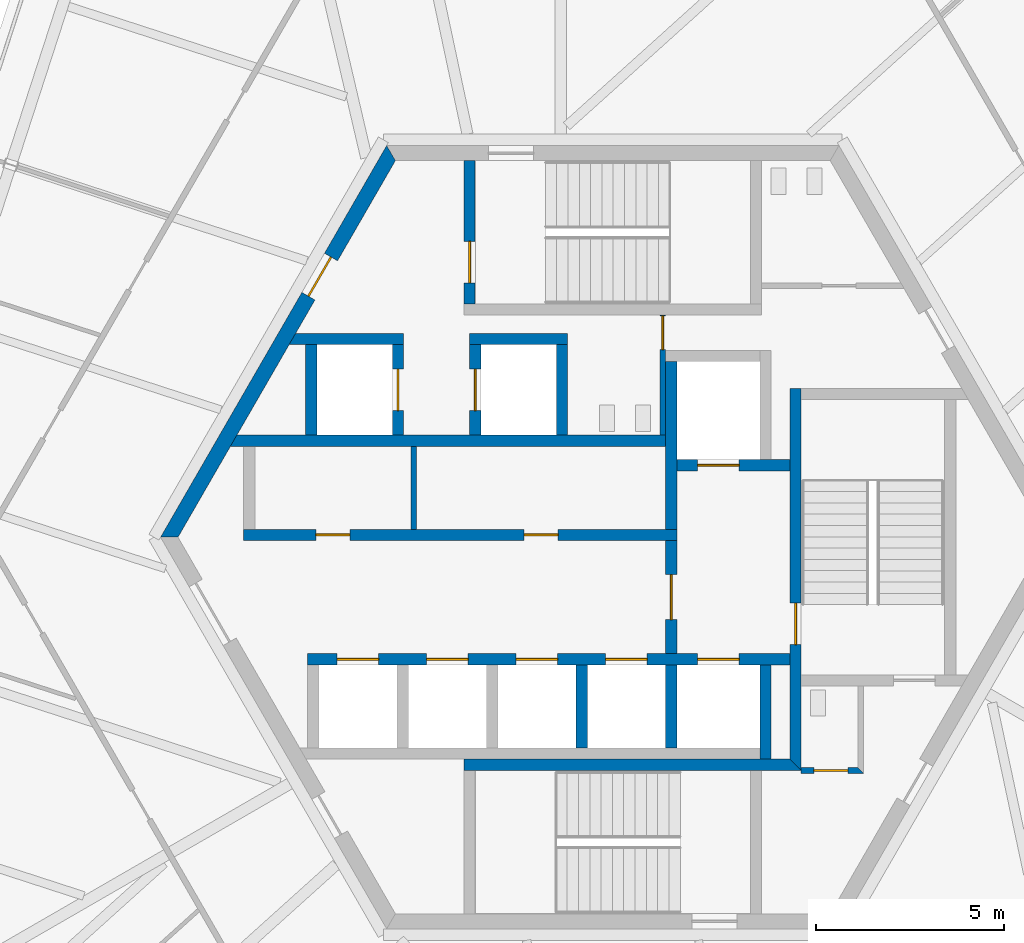
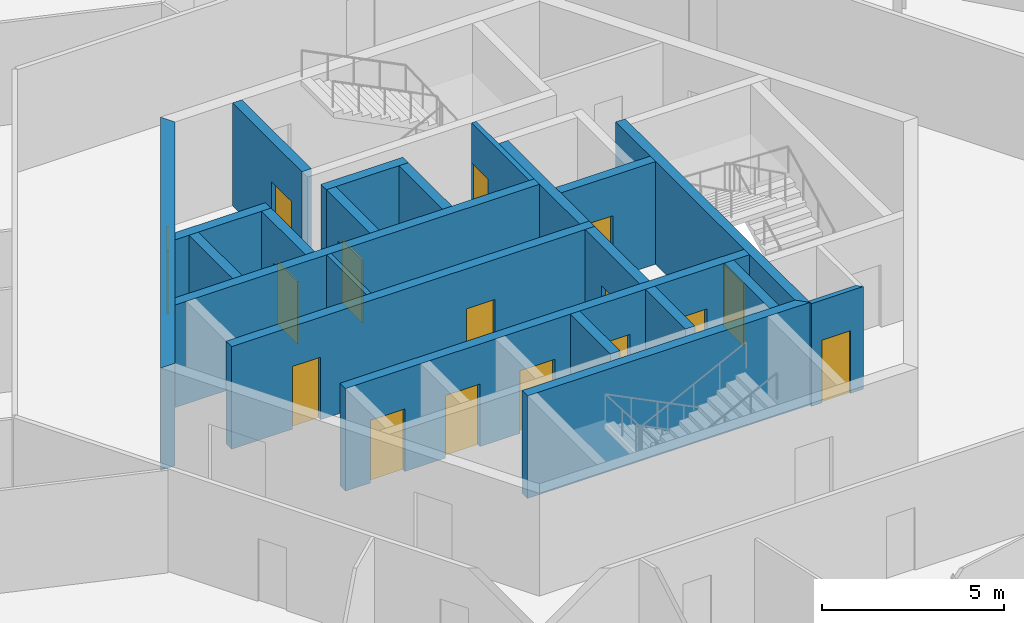
# One storey, part 11 of 15: 22 walls, 16 doors, 16 openings.
"""IFC4 building model written with IfcOpenShell, lengths in metres."""

from ifc_helpers import new_model, si_unit, direction, frame, frame_2d, origin, place, context, subcontext, project, spatial, polyline, rectangle, outline, extrude, source, transform, mapped, material, layer, layer_set, type_object, element, fill, save


model = new_model("IFC4")

# Units and contexts
model_context = context("Model", 3, precision=1e-05, world=origin(), true_north=direction((0.0, 1.0)))
body_context = subcontext(model_context, "Body", "Model", "MODEL_VIEW")
ifc_project = project(units=[si_unit("LENGTHUNIT", "METRE"), si_unit("AREAUNIT", "SQUARE_METRE"), si_unit("VOLUMEUNIT", "CUBIC_METRE"), si_unit("PLANEANGLEUNIT", "RADIAN"), si_unit("MASSUNIT", "GRAM", prefix="KILO")], contexts=[model_context])

# Site, building, storey
site_placement = place(None, origin())
site = spatial("IfcSite", under=ifc_project, at=site_placement, CompositionType="ELEMENT")
building_placement = place(site_placement, origin())
building = spatial("IfcBuilding", under=site, at=building_placement, Name="Triune Harvest Tower", CompositionType="ELEMENT")
storey_placement = place(building_placement, frame((0.0, 0.0, 277.5)))
storey = spatial("IfcBuildingStorey", under=building, at=storey_placement, Name="L73", CompositionType="ELEMENT", Elevation=277.5)

# Wall, opening, door
ifc_material_1 = material(Name="Concrete 70 MPa", Category="concrete")
ifc_layer_1 = layer(ifc_material_1, 0.39990234375)
ifc_layer_set_1 = layer_set([ifc_layer_1], Name="Concrete 70 MPa")
wall_type_1 = type_object("IfcWallType", Name="Core wall 400", PredefinedType="SHEAR", material=ifc_layer_set_1)
shared_shape_1 = source(origin(), body_context, "Body", "SweptSolid", [
    extrude(outline(polyline([(-0.115478515625, -0.199951171875), (11.884521484375, -0.199951171875), (11.653564453125, 0.199951171875), (0.115478515625, 0.199951171875), (-0.115478515625, -0.199951171875)])), origin(), (0.0, 0.0, 1.0), 3.43994140625),
])
wall_1_placement = place(storey_placement, frame((-5.884521484375, 10.1923828125, 0.0), z_axis=(0.0, 0.0, 1.0), x_axis=(-0.499996592174, -0.866027371285, 0.0)))
wall_1 = element("IfcWall", 1, at=wall_1_placement, inside=storey, type_object=wall_type_1, Name="Hexagon 2 wall", PredefinedType="SHEAR", context=body_context, shape_type="MappedRepresentation", body=[
    mapped(shared_shape_1, transform((0.0, 0.0, 0.0), scale=1.0)),
])
opening_1_placement = place(wall_1_placement, frame((3.1845703125, 0.0, 0.0)))
opening_1 = element("IfcOpeningElement", 2, at=opening_1_placement, cuts=wall_1, Name="Opening CD-SVP", PredefinedType="OPENING", context=body_context, shape_type="SweptSolid", body=[
    extrude(rectangle(XDim=1.199951171875, YDim=2.10009765625, at=frame_2d((0.60009765625, 1.050048828125))), frame((0.0, 0.2099609375, 0.0), z_axis=(0.0, -1.0, 0.0), x_axis=(1.0, 0.0, 0.0)), (0.0, 0.0, 1.0), 0.419921875),
])
ifc_material_2 = material(Name="Steel S235", Category="steel")
door_type_1 = type_object("IfcDoorType", Name="Service door 1200 FD120", OperationType="SINGLE_SWING_LEFT", PredefinedType="DOOR", material=ifc_material_2)
door_1_placement = place(opening_1_placement, frame((1.199951171875, 0.0, 0.0), z_axis=(0.0, 0.0, 1.0), x_axis=(-1.0, 0.0, 0.0)))
door_1 = element("IfcDoor", 3, at=door_1_placement, inside=storey, type_object=door_type_1, Name="Door CD-SVP", OperationType="SINGLE_SWING_RIGHT", OverallHeight=2.10009765625, OverallWidth=1.199951171875, PredefinedType="DOOR", context=body_context, shape_type="SweptSolid", body=[
    extrude(rectangle(XDim=1.199951171875, YDim=2.10009765625, at=frame_2d((0.60009765625, 1.050048828125))), frame((0.0, 0.02490234375, 0.0), z_axis=(0.0, -1.0, 0.0), x_axis=(1.0, 0.0, 0.0)), (0.0, 0.0, 1.0), 0.050048828125),
])
fill(opening_1, door_1)

# Wall, openings, doors
ifc_material_3 = material(Name="Concrete 70 MPa", Category="concrete")
ifc_layer_2 = layer(ifc_material_3, 0.300048828125)
ifc_layer_set_2 = layer_set([ifc_layer_2], Name="Concrete 70 MPa")
wall_type_2 = type_object("IfcWallType", Name="Core wall 300", PredefinedType="SHEAR", material=ifc_layer_set_2)
shared_shape_2 = source(origin(), body_context, "Body", "SweptSolid", [
    extrude(rectangle(XDim=11.5, YDim=0.300048828125, at=frame_2d((5.75, 0.0))), origin(), (0.0, 0.0, 1.0), 3.43994140625),
])
wall_2_placement = place(storey_placement, frame((-9.800048828125, 0.06005859375, 0.0), z_axis=(0.0, 0.0, 1.0), x_axis=(1.0, 0.0, 0.0)))
wall_2 = element("IfcWall", 4, at=wall_2_placement, inside=storey, type_object=wall_type_2, Name="North front wall", PredefinedType="SHEAR", context=body_context, shape_type="MappedRepresentation", body=[
    mapped(shared_shape_2, transform((0.0, 0.0, 0.0), scale=1.0)),
])
opening_2_placement = place(wall_2_placement, frame((1.922607421875, 0.0, 0.0)))
opening_2 = element("IfcOpeningElement", 5, at=opening_2_placement, cuts=wall_2, Name="Opening CD-RN1", PredefinedType="OPENING", context=body_context, shape_type="SweptSolid", body=[
    extrude(rectangle(XDim=0.89990234375, YDim=2.10009765625, at=frame_2d((0.449951171875, 1.050048828125))), frame((0.0, 0.16015625, 0.0), z_axis=(0.0, -1.0, 0.0), x_axis=(1.0, 0.0, 0.0)), (0.0, 0.0, 1.0), 0.320068359375),
])
opening_3_placement = place(wall_2_placement, frame((7.447509765625, 0.0, 0.0)))
opening_3 = element("IfcOpeningElement", 6, at=opening_3_placement, cuts=wall_2, Name="Opening CD-RN2", PredefinedType="OPENING", context=body_context, shape_type="SweptSolid", body=[
    extrude(rectangle(XDim=0.89990234375, YDim=2.10009765625, at=frame_2d((0.449951171875, 1.050048828125))), frame((0.0, 0.16015625, 0.0), z_axis=(0.0, -1.0, 0.0), x_axis=(1.0, 0.0, 0.0)), (0.0, 0.0, 1.0), 0.320068359375),
])
ifc_material_4 = material(Name="Steel S235", Category="steel")
door_type_2 = type_object("IfcDoorType", Name="Riser door 900 FD120", OperationType="SINGLE_SWING_LEFT", PredefinedType="DOOR", material=ifc_material_4)
door_2_placement = place(opening_2_placement, frame((0.89990234375, 0.0, 0.0), z_axis=(0.0, 0.0, 1.0), x_axis=(-1.0, 0.0, 0.0)))
door_2 = element("IfcDoor", 7, at=door_2_placement, inside=storey, type_object=door_type_2, Name="Door CD-RN1", OperationType="SINGLE_SWING_RIGHT", OverallHeight=2.10009765625, OverallWidth=0.89990234375, PredefinedType="DOOR", context=body_context, shape_type="SweptSolid", body=[
    extrude(rectangle(XDim=0.89990234375, YDim=2.10009765625, at=frame_2d((0.449951171875, 1.050048828125))), frame((0.0, 0.02490234375, 0.0), z_axis=(0.0, -1.0, 0.0), x_axis=(1.0, 0.0, 0.0)), (0.0, 0.0, 1.0), 0.050048828125),
])
fill(opening_2, door_2)
door_3_placement = place(opening_3_placement, frame((0.89990234375, 0.0, 0.0), z_axis=(0.0, 0.0, 1.0), x_axis=(-1.0, 0.0, 0.0)))
door_3 = element("IfcDoor", 8, at=door_3_placement, inside=storey, type_object=door_type_2, Name="Door CD-RN2", OperationType="SINGLE_SWING_RIGHT", OverallHeight=2.10009765625, OverallWidth=0.89990234375, PredefinedType="DOOR", context=body_context, shape_type="SweptSolid", body=[
    extrude(rectangle(XDim=0.89990234375, YDim=2.10009765625, at=frame_2d((0.449951171875, 1.050048828125))), frame((0.0, 0.02490234375, 0.0), z_axis=(0.0, -1.0, 0.0), x_axis=(1.0, 0.0, 0.0)), (0.0, 0.0, 1.0), 0.050048828125),
])
fill(opening_3, door_3)

# Walls
shared_shape_3 = source(origin(), body_context, "Body", "SweptSolid", [
    extrude(outline(polyline([(11.199951171875, -0.14990234375), (-0.34912109375, -0.14990234375), (-0.17578125, 0.14990234375), (11.199951171875, 0.14990234375), (11.199951171875, -0.14990234375)])), origin(), (0.0, 0.0, 1.0), 3.43994140625),
])
wall_3_placement = place(storey_placement, frame((-9.800048828125, 2.56005859375, 0.0), z_axis=(0.0, 0.0, 1.0), x_axis=(1.0, 0.0, 0.0)))
element("IfcWall", 9, at=wall_3_placement, inside=storey, type_object=wall_type_2, Name="North back wall", PredefinedType="SHEAR", context=body_context, shape_type="MappedRepresentation", body=[
    mapped(shared_shape_3, transform((0.0, 0.0, 0.0), scale=1.0)),
])
shared_shape_4 = source(origin(), body_context, "Body", "SweptSolid", [
    extrude(rectangle(XDim=2.5, YDim=0.300048828125, at=frame_2d((1.25, 0.0))), origin(), (0.0, 0.0, 1.0), 3.43994140625),
])
wall_4_placement = place(storey_placement, frame((4.050048828125, -5.889892578125, 0.0), z_axis=(0.0, 0.0, 1.0), x_axis=(0.0, 1.0, 0.0)))
element("IfcWall", 10, at=wall_4_placement, inside=storey, type_object=wall_type_2, Name="Ff2 east wall", PredefinedType="SHEAR", context=body_context, shape_type="MappedRepresentation", body=[
    mapped(shared_shape_4, transform((0.0, 0.0, 0.0), scale=1.0)),
])
shared_shape_5 = source(origin(), body_context, "Body", "SweptSolid", [
    extrude(rectangle(XDim=4.449951171875, YDim=0.300048828125, at=frame_2d((2.22509765625, 0.0))), origin(), (0.0, 0.0, 1.0), 3.43994140625),
])
wall_5_placement = place(storey_placement, frame((1.550048828125, 0.2099609375, 0.0), z_axis=(0.0, 0.0, 1.0), x_axis=(0.0, 1.0, 0.0)))
element("IfcWall", 11, at=wall_5_placement, inside=storey, type_object=wall_type_2, Name="Ff1 west wall", PredefinedType="SHEAR", context=body_context, shape_type="MappedRepresentation", body=[
    mapped(shared_shape_5, transform((0.0, 0.0, 0.0), scale=1.0)),
])

# Wall, opening, door
shared_shape_6 = source(origin(), body_context, "Body", "SweptSolid", [
    extrude(rectangle(XDim=3.0, YDim=0.300048828125, at=frame_2d((1.5, 0.0))), origin(), (0.0, 0.0, 1.0), 3.43994140625),
])
wall_6_placement = place(storey_placement, frame((1.699951171875, 1.909912109375, 0.0), z_axis=(0.0, 0.0, 1.0), x_axis=(1.0, 0.0, 0.0)))
wall_6 = element("IfcWall", 12, at=wall_6_placement, inside=storey, type_object=wall_type_2, Name="Ff1 front wall", PredefinedType="SHEAR", context=body_context, shape_type="MappedRepresentation", body=[
    mapped(shared_shape_6, transform((0.0, 0.0, 0.0), scale=1.0)),
])
opening_4_placement = place(wall_6_placement, frame((0.550048828125, 0.0, 0.0)))
opening_4 = element("IfcOpeningElement", 13, at=opening_4_placement, cuts=wall_6, Name="Opening LD-FF1-73", PredefinedType="OPENING", context=body_context, shape_type="SweptSolid", body=[
    extrude(rectangle(XDim=1.10009765625, YDim=2.10009765625, at=frame_2d((0.550048828125, 1.050048828125))), frame((0.0, 0.16015625, 0.0), z_axis=(0.0, -1.0, 0.0), x_axis=(1.0, 0.0, 0.0)), (0.0, 0.0, 1.0), 0.320068359375),
])
ifc_material_5 = material(Name="Stainless steel AISI 304", Category="steel")
door_type_3 = type_object("IfcDoorType", Name="Landing door 1100 x 2100", OperationType="DOUBLE_DOOR_SLIDING", PredefinedType="DOOR", material=ifc_material_5)
door_4_placement = place(opening_4_placement, origin())
door_4 = element("IfcDoor", 14, at=door_4_placement, inside=storey, type_object=door_type_3, Name="Door LD-FF1-73", OperationType="DOUBLE_DOOR_SLIDING", OverallHeight=2.10009765625, OverallWidth=1.10009765625, PredefinedType="DOOR", context=body_context, shape_type="SweptSolid", body=[
    extrude(rectangle(XDim=1.10009765625, YDim=2.10009765625, at=frame_2d((0.550048828125, 1.050048828125))), frame((0.0, 0.02490234375, 0.0), z_axis=(0.0, -1.0, 0.0), x_axis=(1.0, 0.0, 0.0)), (0.0, 0.0, 1.0), 0.050048828125),
])
fill(opening_4, door_4)

wall_7_placement = place(storey_placement, frame((1.550048828125, -3.090087890625, 0.0), z_axis=(0.0, 0.0, 1.0), x_axis=(0.0, 1.0, 0.0)))
wall_7 = element("IfcWall", 15, at=wall_7_placement, inside=storey, type_object=wall_type_2, Name="Ff lobby west wall", PredefinedType="SHEAR", context=body_context, shape_type="MappedRepresentation", body=[
    mapped(shared_shape_6, transform((0.0, 0.0, 0.0), scale=1.0)),
])
opening_5_placement = place(wall_7_placement, frame((0.89990234375, 0.0, 0.0)))
opening_5 = element("IfcOpeningElement", 16, at=opening_5_placement, cuts=wall_7, Name="Opening CD-FL", PredefinedType="OPENING", context=body_context, shape_type="SweptSolid", body=[
    extrude(rectangle(XDim=1.199951171875, YDim=2.10009765625, at=frame_2d((0.60009765625, 1.050048828125))), frame((0.0, 0.16015625, 0.0), z_axis=(0.0, -1.0, 0.0), x_axis=(1.0, 0.0, 0.0)), (0.0, 0.0, 1.0), 0.320068359375),
])
ifc_material_6 = material(Name="Steel S235", Category="steel")
door_type_4 = type_object("IfcDoorType", Name="Firefighters' lobby door 1200 FD120", OperationType="SINGLE_SWING_LEFT", PredefinedType="DOOR", material=ifc_material_6)
door_5_placement = place(opening_5_placement, frame((1.199951171875, 0.0, 0.0), z_axis=(0.0, 0.0, 1.0), x_axis=(-1.0, 0.0, 0.0)))
door_5 = element("IfcDoor", 17, at=door_5_placement, inside=storey, type_object=door_type_4, Name="Door CD-FL", OperationType="SINGLE_SWING_RIGHT", OverallHeight=2.10009765625, OverallWidth=1.199951171875, PredefinedType="DOOR", context=body_context, shape_type="SweptSolid", body=[
    extrude(rectangle(XDim=1.199951171875, YDim=2.10009765625, at=frame_2d((0.60009765625, 1.050048828125))), frame((0.0, 0.02490234375, 0.0), z_axis=(0.0, -1.0, 0.0), x_axis=(1.0, 0.0, 0.0)), (0.0, 0.0, 1.0), 0.050048828125),
])
fill(opening_5, door_5)

# Wall, openings, doors
shared_shape_7 = source(origin(), body_context, "Body", "SweptSolid", [
    extrude(rectangle(XDim=12.800048828125, YDim=0.300048828125, at=frame_2d((6.39990234375, 0.0))), origin(), (0.0, 0.0, 1.0), 3.43994140625),
])
wall_8_placement = place(storey_placement, frame((-8.10009765625, -3.239990234375, 0.0), z_axis=(0.0, 0.0, 1.0), x_axis=(1.0, 0.0, 0.0)))
wall_8 = element("IfcWall", 18, at=wall_8_placement, inside=storey, type_object=wall_type_2, Name="South front wall", PredefinedType="SHEAR", context=body_context, shape_type="MappedRepresentation", body=[
    mapped(shared_shape_7, transform((0.0, 0.0, 0.0), scale=1.0)),
])
opening_6_placement = place(wall_8_placement, frame((0.78759765625, 0.0, 0.0)))
opening_6 = element("IfcOpeningElement", 19, at=opening_6_placement, cuts=wall_8, Name="Opening LD-HR1-73", PredefinedType="OPENING", context=body_context, shape_type="SweptSolid", body=[
    extrude(rectangle(XDim=1.10009765625, YDim=2.10009765625, at=frame_2d((0.550048828125, 1.050048828125))), frame((0.0, 0.16015625, 0.0), z_axis=(0.0, -1.0, 0.0), x_axis=(1.0, 0.0, 0.0)), (0.0, 0.0, 1.0), 0.320068359375),
])
opening_7_placement = place(wall_8_placement, frame((3.16259765625, 0.0, 0.0)))
opening_7 = element("IfcOpeningElement", 20, at=opening_7_placement, cuts=wall_8, Name="Opening LD-HR2-73", PredefinedType="OPENING", context=body_context, shape_type="SweptSolid", body=[
    extrude(rectangle(XDim=1.10009765625, YDim=2.10009765625, at=frame_2d((0.550048828125, 1.050048828125))), frame((0.0, 0.16015625, 0.0), z_axis=(0.0, -1.0, 0.0), x_axis=(1.0, 0.0, 0.0)), (0.0, 0.0, 1.0), 0.320068359375),
])
opening_8_placement = place(wall_8_placement, frame((5.53759765625, 0.0, 0.0)))
opening_8 = element("IfcOpeningElement", 21, at=opening_8_placement, cuts=wall_8, Name="Opening LD-HR3-73", PredefinedType="OPENING", context=body_context, shape_type="SweptSolid", body=[
    extrude(rectangle(XDim=1.10009765625, YDim=2.10009765625, at=frame_2d((0.550048828125, 1.050048828125))), frame((0.0, 0.16015625, 0.0), z_axis=(0.0, -1.0, 0.0), x_axis=(1.0, 0.0, 0.0)), (0.0, 0.0, 1.0), 0.320068359375),
])
opening_9_placement = place(wall_8_placement, frame((7.91259765625, 0.0, 0.0)))
opening_9 = element("IfcOpeningElement", 22, at=opening_9_placement, cuts=wall_8, Name="Opening LD-HR4-73", PredefinedType="OPENING", context=body_context, shape_type="SweptSolid", body=[
    extrude(rectangle(XDim=1.10009765625, YDim=2.10009765625, at=frame_2d((0.550048828125, 1.050048828125))), frame((0.0, 0.16015625, 0.0), z_axis=(0.0, -1.0, 0.0), x_axis=(1.0, 0.0, 0.0)), (0.0, 0.0, 1.0), 0.320068359375),
])
opening_10_placement = place(wall_8_placement, frame((10.35009765625, 0.0, 0.0)))
opening_10 = element("IfcOpeningElement", 23, at=opening_10_placement, cuts=wall_8, Name="Opening LD-FF2-73", PredefinedType="OPENING", context=body_context, shape_type="SweptSolid", body=[
    extrude(rectangle(XDim=1.10009765625, YDim=2.10009765625, at=frame_2d((0.550048828125, 1.050048828125))), frame((0.0, 0.16015625, 0.0), z_axis=(0.0, -1.0, 0.0), x_axis=(1.0, 0.0, 0.0)), (0.0, 0.0, 1.0), 0.320068359375),
])
door_6_placement = place(opening_6_placement, origin())
door_6 = element("IfcDoor", 24, at=door_6_placement, inside=storey, type_object=door_type_3, Name="Door LD-HR1-73", OperationType="DOUBLE_DOOR_SLIDING", OverallHeight=2.10009765625, OverallWidth=1.10009765625, PredefinedType="DOOR", context=body_context, shape_type="SweptSolid", body=[
    extrude(rectangle(XDim=1.10009765625, YDim=2.10009765625, at=frame_2d((0.550048828125, 1.050048828125))), frame((0.0, 0.02490234375, 0.0), z_axis=(0.0, -1.0, 0.0), x_axis=(1.0, 0.0, 0.0)), (0.0, 0.0, 1.0), 0.050048828125),
])
fill(opening_6, door_6)
door_7_placement = place(opening_7_placement, origin())
door_7 = element("IfcDoor", 25, at=door_7_placement, inside=storey, type_object=door_type_3, Name="Door LD-HR2-73", OperationType="DOUBLE_DOOR_SLIDING", OverallHeight=2.10009765625, OverallWidth=1.10009765625, PredefinedType="DOOR", context=body_context, shape_type="SweptSolid", body=[
    extrude(rectangle(XDim=1.10009765625, YDim=2.10009765625, at=frame_2d((0.550048828125, 1.050048828125))), frame((0.0, 0.02490234375, 0.0), z_axis=(0.0, -1.0, 0.0), x_axis=(1.0, 0.0, 0.0)), (0.0, 0.0, 1.0), 0.050048828125),
])
fill(opening_7, door_7)
door_8_placement = place(opening_8_placement, origin())
door_8 = element("IfcDoor", 26, at=door_8_placement, inside=storey, type_object=door_type_3, Name="Door LD-HR3-73", OperationType="DOUBLE_DOOR_SLIDING", OverallHeight=2.10009765625, OverallWidth=1.10009765625, PredefinedType="DOOR", context=body_context, shape_type="SweptSolid", body=[
    extrude(rectangle(XDim=1.10009765625, YDim=2.10009765625, at=frame_2d((0.550048828125, 1.050048828125))), frame((0.0, 0.02490234375, 0.0), z_axis=(0.0, -1.0, 0.0), x_axis=(1.0, 0.0, 0.0)), (0.0, 0.0, 1.0), 0.050048828125),
])
fill(opening_8, door_8)
door_9_placement = place(opening_9_placement, origin())
door_9 = element("IfcDoor", 27, at=door_9_placement, inside=storey, type_object=door_type_3, Name="Door LD-HR4-73", OperationType="DOUBLE_DOOR_SLIDING", OverallHeight=2.10009765625, OverallWidth=1.10009765625, PredefinedType="DOOR", context=body_context, shape_type="SweptSolid", body=[
    extrude(rectangle(XDim=1.10009765625, YDim=2.10009765625, at=frame_2d((0.550048828125, 1.050048828125))), frame((0.0, 0.02490234375, 0.0), z_axis=(0.0, -1.0, 0.0), x_axis=(1.0, 0.0, 0.0)), (0.0, 0.0, 1.0), 0.050048828125),
])
fill(opening_9, door_9)
door_10_placement = place(opening_10_placement, origin())
door_10 = element("IfcDoor", 28, at=door_10_placement, inside=storey, type_object=door_type_3, Name="Door LD-FF2-73", OperationType="DOUBLE_DOOR_SLIDING", OverallHeight=2.10009765625, OverallWidth=1.10009765625, PredefinedType="DOOR", context=body_context, shape_type="SweptSolid", body=[
    extrude(rectangle(XDim=1.10009765625, YDim=2.10009765625, at=frame_2d((0.550048828125, 1.050048828125))), frame((0.0, 0.02490234375, 0.0), z_axis=(0.0, -1.0, 0.0), x_axis=(1.0, 0.0, 0.0)), (0.0, 0.0, 1.0), 0.050048828125),
])
fill(opening_10, door_10)

# Walls
shared_shape_8 = source(origin(), body_context, "Body", "SweptSolid", [
    extrude(rectangle(XDim=2.2001953125, YDim=0.300048828125, at=frame_2d((1.10009765625, 0.0))), origin(), (0.0, 0.0, 1.0), 3.43994140625),
])
for number, where, z_axis, x_axis, name in (
    (29, (1.550048828125, -5.590087890625, 0.0), (0.0, 0.0, 1.0), (0.0, 1.0, 0.0), "Ff2 west wall"),
    (30, (-0.824951171875, -5.590087890625, 0.0), (0.0, 0.0, 1.0), (0.0, 1.0, 0.0), "South cross 3 wall"),
):
    element("IfcWall", number, at=place(storey_placement, frame(where, z_axis=z_axis, x_axis=x_axis)), inside=storey, type_object=wall_type_2, Name=name, PredefinedType="SHEAR", context=body_context, shape_type="MappedRepresentation", body=[
        mapped(shared_shape_8, transform((0.0, 0.0, 0.0), scale=1.0)),
    ])

# Wall, opening, door
shared_shape_9 = source(origin(), body_context, "Body", "SweptSolid", [
    extrude(outline(polyline([(-0.14990234375, -0.14990234375), (9.989990234375, -0.14990234375), (9.989990234375, 0.14990234375), (0.14990234375, 0.14990234375), (-0.14990234375, -0.14990234375)])), origin(), (0.0, 0.0, 1.0), 3.43994140625),
])
wall_9_placement = place(storey_placement, frame((4.85009765625, -6.0400390625, 0.0), z_axis=(0.0, 0.0, 1.0), x_axis=(0.0, 1.0, 0.0)))
wall_9 = element("IfcWall", 31, at=wall_9_placement, inside=storey, type_object=wall_type_2, Name="Stair e west wall", PredefinedType="SHEAR", context=body_context, shape_type="MappedRepresentation", body=[
    mapped(shared_shape_9, transform((0.0, 0.0, 0.0), scale=1.0)),
])
opening_11_placement = place(wall_9_placement, frame((3.18994140625, 0.0, 0.0)))
opening_11 = element("IfcOpeningElement", 32, at=opening_11_placement, cuts=wall_9, Name="Opening CD-S3L", PredefinedType="OPENING", context=body_context, shape_type="SweptSolid", body=[
    extrude(rectangle(XDim=1.10009765625, YDim=2.10009765625, at=frame_2d((0.550048828125, 1.050048828125))), frame((0.0, 0.16015625, 0.0), z_axis=(0.0, -1.0, 0.0), x_axis=(1.0, 0.0, 0.0)), (0.0, 0.0, 1.0), 0.320068359375),
])
ifc_material_7 = material(Name="Steel S235", Category="steel")
door_type_5 = type_object("IfcDoorType", Name="Stair door 1100 FD120", OperationType="SINGLE_SWING_LEFT", PredefinedType="DOOR", material=ifc_material_7)
door_11_placement = place(opening_11_placement, frame((1.10009765625, 0.0, 0.0), z_axis=(0.0, 0.0, 1.0), x_axis=(-1.0, 0.0, 0.0)))
door_11 = element("IfcDoor", 33, at=door_11_placement, inside=storey, type_object=door_type_5, Name="Door CD-S3L", OperationType="SINGLE_SWING_RIGHT", OverallHeight=2.10009765625, OverallWidth=1.10009765625, PredefinedType="DOOR", context=body_context, shape_type="SweptSolid", body=[
    extrude(rectangle(XDim=1.10009765625, YDim=2.10009765625, at=frame_2d((0.550048828125, 1.050048828125))), frame((0.0, 0.02490234375, 0.0), z_axis=(0.0, -1.0, 0.0), x_axis=(1.0, 0.0, 0.0)), (0.0, 0.0, 1.0), 0.050048828125),
])
fill(opening_11, door_11)

shared_shape_10 = source(origin(), body_context, "Body", "SweptSolid", [
    extrude(outline(polyline([(0.0, -0.14990234375), (0.0, 0.14990234375), (3.80419921875, 0.14990234375), (3.80419921875, -0.14990234375), (0.0, -0.14990234375)])), origin(), (0.0, 0.0, 1.0), 3.43994140625),
])
wall_10_placement = place(storey_placement, frame((-3.800048828125, 6.18994140625, 0.0), z_axis=(0.0, 0.0, 1.0), x_axis=(0.0, 1.0, 0.0)))
wall_10 = element("IfcWall", 34, at=wall_10_placement, inside=storey, type_object=wall_type_2, Name="Stair n west wall", PredefinedType="SHEAR", context=body_context, shape_type="MappedRepresentation", body=[
    mapped(shared_shape_10, transform((0.0, 0.0, 0.0), scale=1.0)),
])
opening_12_placement = place(wall_10_placement, frame((0.56005859375, 0.0, 0.0)))
opening_12 = element("IfcOpeningElement", 35, at=opening_12_placement, cuts=wall_10, Name="Opening CD-S1L", PredefinedType="OPENING", context=body_context, shape_type="SweptSolid", body=[
    extrude(rectangle(XDim=1.10009765625, YDim=2.10009765625, at=frame_2d((0.550048828125, 1.050048828125))), frame((0.0, 0.16015625, 0.0), z_axis=(0.0, -1.0, 0.0), x_axis=(1.0, 0.0, 0.0)), (0.0, 0.0, 1.0), 0.320068359375),
])
door_12_placement = place(opening_12_placement, frame((1.10009765625, 0.0, 0.0), z_axis=(0.0, 0.0, 1.0), x_axis=(-1.0, 0.0, 0.0)))
door_12 = element("IfcDoor", 36, at=door_12_placement, inside=storey, type_object=door_type_5, Name="Door CD-S1L", OperationType="SINGLE_SWING_RIGHT", OverallHeight=2.10009765625, OverallWidth=1.10009765625, PredefinedType="DOOR", context=body_context, shape_type="SweptSolid", body=[
    extrude(rectangle(XDim=1.10009765625, YDim=2.10009765625, at=frame_2d((0.550048828125, 1.050048828125))), frame((0.0, 0.02490234375, 0.0), z_axis=(0.0, -1.0, 0.0), x_axis=(1.0, 0.0, 0.0)), (0.0, 0.0, 1.0), 0.050048828125),
])
fill(opening_12, door_12)

# Walls
shared_shape_11 = source(origin(), body_context, "Body", "SweptSolid", [
    extrude(outline(polyline([(0.0, -0.14990234375), (8.949951171875, -0.14990234375), (8.64990234375, 0.14990234375), (0.0, 0.14990234375), (0.0, -0.14990234375)])), origin(), (0.0, 0.0, 1.0), 3.43994140625),
])
wall_11_placement = place(storey_placement, frame((-3.949951171875, -6.0400390625, 0.0), z_axis=(0.0, 0.0, 1.0), x_axis=(1.0, 0.0, 0.0)))
element("IfcWall", 37, at=wall_11_placement, inside=storey, type_object=wall_type_2, Name="Stair s north wall", PredefinedType="SHEAR", context=body_context, shape_type="MappedRepresentation", body=[
    mapped(shared_shape_11, transform((0.0, 0.0, 0.0), scale=1.0)),
])
shared_shape_12 = source(origin(), body_context, "Body", "SweptSolid", [
    extrude(outline(polyline([(2.60009765625, -0.14990234375), (-0.440185546875, -0.14990234375), (-0.26708984375, 0.14990234375), (2.60009765625, 0.14990234375), (2.60009765625, -0.14990234375)])), origin(), (0.0, 0.0, 1.0), 3.43994140625),
])
wall_12_placement = place(storey_placement, frame((-8.14990234375, 5.260009765625, 0.0), z_axis=(0.0, 0.0, 1.0), x_axis=(1.0, 0.0, 0.0)))
element("IfcWall", 38, at=wall_12_placement, inside=storey, type_object=wall_type_2, Name="Sv1 north wall", PredefinedType="SHEAR", context=body_context, shape_type="MappedRepresentation", body=[
    mapped(shared_shape_12, transform((0.0, 0.0, 0.0), scale=1.0)),
])
shared_shape_13 = source(origin(), body_context, "Body", "SweptSolid", [
    extrude(rectangle(XDim=2.400146484375, YDim=0.300048828125, at=frame_2d((1.2001953125, 0.0))), origin(), (0.0, 0.0, 1.0), 3.43994140625),
])
wall_13_placement = place(storey_placement, frame((-8.0, 2.7099609375, 0.0), z_axis=(0.0, 0.0, 1.0), x_axis=(0.0, 1.0, 0.0)))
element("IfcWall", 39, at=wall_13_placement, inside=storey, type_object=wall_type_2, Name="Sv1 west wall", PredefinedType="SHEAR", context=body_context, shape_type="MappedRepresentation", body=[
    mapped(shared_shape_13, transform((0.0, 0.0, 0.0), scale=1.0)),
])

# Wall, opening, door
wall_14_placement = place(storey_placement, frame((-5.699951171875, 2.7099609375, 0.0), z_axis=(0.0, 0.0, 1.0), x_axis=(0.0, 1.0, 0.0)))
wall_14 = element("IfcWall", 40, at=wall_14_placement, inside=storey, type_object=wall_type_2, Name="Sv1 east wall", PredefinedType="SHEAR", context=body_context, shape_type="MappedRepresentation", body=[
    mapped(shared_shape_13, transform((0.0, 0.0, 0.0), scale=1.0)),
])
opening_13_placement = place(wall_14_placement, frame((0.64990234375, 0.0, 0.0)))
opening_13 = element("IfcOpeningElement", 41, at=opening_13_placement, cuts=wall_14, Name="Opening LD-SV1-73", PredefinedType="OPENING", context=body_context, shape_type="SweptSolid", body=[
    extrude(rectangle(XDim=1.10009765625, YDim=2.10009765625, at=frame_2d((0.550048828125, 1.050048828125))), frame((0.0, 0.16015625, 0.0), z_axis=(0.0, -1.0, 0.0), x_axis=(1.0, 0.0, 0.0)), (0.0, 0.0, 1.0), 0.320068359375),
])
door_13_placement = place(opening_13_placement, origin())
door_13 = element("IfcDoor", 42, at=door_13_placement, inside=storey, type_object=door_type_3, Name="Door LD-SV1-73", OperationType="DOUBLE_DOOR_SLIDING", OverallHeight=2.10009765625, OverallWidth=1.10009765625, PredefinedType="DOOR", context=body_context, shape_type="SweptSolid", body=[
    extrude(rectangle(XDim=1.10009765625, YDim=2.10009765625, at=frame_2d((0.550048828125, 1.050048828125))), frame((0.0, 0.02490234375, 0.0), z_axis=(0.0, -1.0, 0.0), x_axis=(1.0, 0.0, 0.0)), (0.0, 0.0, 1.0), 0.050048828125),
])
fill(opening_13, door_13)

wall_15_placement = place(storey_placement, frame((-3.64990234375, 2.7099609375, 0.0), z_axis=(0.0, 0.0, 1.0), x_axis=(0.0, 1.0, 0.0)))
wall_15 = element("IfcWall", 43, at=wall_15_placement, inside=storey, type_object=wall_type_2, Name="Sv2 west wall", PredefinedType="SHEAR", context=body_context, shape_type="MappedRepresentation", body=[
    mapped(shared_shape_13, transform((0.0, 0.0, 0.0), scale=1.0)),
])
opening_14_placement = place(wall_15_placement, frame((0.64990234375, 0.0, 0.0)))
opening_14 = element("IfcOpeningElement", 44, at=opening_14_placement, cuts=wall_15, Name="Opening LD-SV2-73", PredefinedType="OPENING", context=body_context, shape_type="SweptSolid", body=[
    extrude(rectangle(XDim=1.10009765625, YDim=2.10009765625, at=frame_2d((0.550048828125, 1.050048828125))), frame((0.0, 0.16015625, 0.0), z_axis=(0.0, -1.0, 0.0), x_axis=(1.0, 0.0, 0.0)), (0.0, 0.0, 1.0), 0.320068359375),
])
door_14_placement = place(opening_14_placement, origin())
door_14 = element("IfcDoor", 45, at=door_14_placement, inside=storey, type_object=door_type_3, Name="Door LD-SV2-73", OperationType="DOUBLE_DOOR_SLIDING", OverallHeight=2.10009765625, OverallWidth=1.10009765625, PredefinedType="DOOR", context=body_context, shape_type="SweptSolid", body=[
    extrude(rectangle(XDim=1.10009765625, YDim=2.10009765625, at=frame_2d((0.550048828125, 1.050048828125))), frame((0.0, 0.02490234375, 0.0), z_axis=(0.0, -1.0, 0.0), x_axis=(1.0, 0.0, 0.0)), (0.0, 0.0, 1.0), 0.050048828125),
])
fill(opening_14, door_14)

# Walls
wall_16_placement = place(storey_placement, frame((-1.35009765625, 2.7099609375, 0.0), z_axis=(0.0, 0.0, 1.0), x_axis=(0.0, 1.0, 0.0)))
element("IfcWall", 46, at=wall_16_placement, inside=storey, type_object=wall_type_2, Name="Sv2 east wall", PredefinedType="SHEAR", context=body_context, shape_type="MappedRepresentation", body=[
    mapped(shared_shape_13, transform((0.0, 0.0, 0.0), scale=1.0)),
])
shared_shape_14 = source(origin(), body_context, "Body", "SweptSolid", [
    extrude(rectangle(XDim=2.60009765625, YDim=0.300048828125, at=frame_2d((1.300048828125, 0.0))), origin(), (0.0, 0.0, 1.0), 3.43994140625),
])
wall_17_placement = place(storey_placement, frame((-3.800048828125, 5.260009765625, 0.0), z_axis=(0.0, 0.0, 1.0), x_axis=(1.0, 0.0, 0.0)))
element("IfcWall", 47, at=wall_17_placement, inside=storey, type_object=wall_type_2, Name="Sv2 north wall", PredefinedType="SHEAR", context=body_context, shape_type="MappedRepresentation", body=[
    mapped(shared_shape_14, transform((0.0, 0.0, 0.0), scale=1.0)),
])

# Wall, opening, door
ifc_material_8 = material(Name="Concrete masonry unit", Category="masonry")
ifc_layer_3 = layer(ifc_material_8, 0.14990234375)
ifc_layer_set_3 = layer_set([ifc_layer_3], Name="Concrete masonry unit")
wall_type_3 = type_object("IfcWallType", Name="Block partition 150 unrated", PredefinedType="PARTITIONING", material=ifc_layer_set_3)
shared_shape_15 = source(origin(), body_context, "Body", "SweptSolid", [
    extrude(rectangle(XDim=3.179931640625, YDim=0.14990234375, at=frame_2d((1.58984375, 0.0))), origin(), (0.0, 0.0, 1.0), 3.43994140625),
])
wall_18_placement = place(storey_placement, frame((1.324951171875, 2.7099609375, 0.0), z_axis=(0.0, 0.0, 1.0), x_axis=(0.0, 1.0, 0.0)))
wall_18 = element("IfcWall", 48, at=wall_18_placement, inside=storey, type_object=wall_type_3, Name="Wc men east wall", PredefinedType="PARTITIONING", context=body_context, shape_type="MappedRepresentation", body=[
    mapped(shared_shape_15, transform((0.0, 0.0, 0.0), scale=1.0)),
])
opening_15_placement = place(wall_18_placement, frame((2.264892578125, 0.0, 0.0)))
opening_15 = element("IfcOpeningElement", 49, at=opening_15_placement, cuts=wall_18, Name="Opening CD-WM", PredefinedType="OPENING", context=body_context, shape_type="SweptSolid", body=[
    extrude(rectangle(XDim=0.89990234375, YDim=2.10009765625, at=frame_2d((0.449951171875, 1.050048828125))), frame((0.0, 0.0849609375, 0.0), z_axis=(0.0, -1.0, 0.0), x_axis=(1.0, 0.0, 0.0)), (0.0, 0.0, 1.0), 0.169921875),
])
ifc_material_9 = material(Name="Timber C24", Category="wood")
door_type_6 = type_object("IfcDoorType", Name="WC door 900", OperationType="SINGLE_SWING_LEFT", PredefinedType="DOOR", material=ifc_material_9)
door_15_placement = place(opening_15_placement, origin())
door_15 = element("IfcDoor", 50, at=door_15_placement, inside=storey, type_object=door_type_6, Name="Door CD-WM", OperationType="SINGLE_SWING_LEFT", OverallHeight=2.10009765625, OverallWidth=0.89990234375, PredefinedType="DOOR", context=body_context, shape_type="SweptSolid", body=[
    extrude(rectangle(XDim=0.89990234375, YDim=2.10009765625, at=frame_2d((0.449951171875, 1.050048828125))), frame((0.0, 0.02490234375, 0.0), z_axis=(0.0, -1.0, 0.0), x_axis=(1.0, 0.0, 0.0)), (0.0, 0.0, 1.0), 0.050048828125),
])
fill(opening_15, door_15)

shared_shape_16 = source(origin(), body_context, "Body", "SweptSolid", [
    extrude(outline(polyline([(0.0, -0.074951171875), (1.64990234375, -0.074951171875), (1.5, 0.074951171875), (0.0, 0.074951171875), (0.0, -0.074951171875)])), origin(), (0.0, 0.0, 1.0), 3.43994140625),
])
wall_19_placement = place(storey_placement, frame((5.0, -6.18994140625, 0.0), z_axis=(0.0, 0.0, 1.0), x_axis=(1.0, 0.0, 0.0)))
wall_19 = element("IfcWall", 51, at=wall_19_placement, inside=storey, type_object=wall_type_3, Name="Wc acc south wall", PredefinedType="PARTITIONING", context=body_context, shape_type="MappedRepresentation", body=[
    mapped(shared_shape_16, transform((0.0, 0.0, 0.0), scale=1.0)),
])
opening_16_placement = place(wall_19_placement, frame((0.33740234375, 0.0, 0.0)))
opening_16 = element("IfcOpeningElement", 52, at=opening_16_placement, cuts=wall_19, Name="Opening CD-WA", PredefinedType="OPENING", context=body_context, shape_type="SweptSolid", body=[
    extrude(rectangle(XDim=0.89990234375, YDim=2.10009765625, at=frame_2d((0.449951171875, 1.050048828125))), frame((0.0, 0.0849609375, 0.0), z_axis=(0.0, -1.0, 0.0), x_axis=(1.0, 0.0, 0.0)), (0.0, 0.0, 1.0), 0.169921875),
])
door_16_placement = place(opening_16_placement, origin())
door_16 = element("IfcDoor", 53, at=door_16_placement, inside=storey, type_object=door_type_6, Name="Door CD-WA", OperationType="SINGLE_SWING_LEFT", OverallHeight=2.10009765625, OverallWidth=0.89990234375, PredefinedType="DOOR", context=body_context, shape_type="SweptSolid", body=[
    extrude(rectangle(XDim=0.89990234375, YDim=2.10009765625, at=frame_2d((0.449951171875, 1.050048828125))), frame((0.0, 0.02490234375, 0.0), z_axis=(0.0, -1.0, 0.0), x_axis=(1.0, 0.0, 0.0)), (0.0, 0.0, 1.0), 0.050048828125),
])
fill(opening_16, door_16)

# Wall
ifc_material_10 = material(Name="Concrete masonry unit", Category="masonry")
ifc_layer_4 = layer(ifc_material_10, 0.14990234375)
ifc_layer_set_4 = layer_set([ifc_layer_4], Name="Concrete masonry unit")
wall_type_4 = type_object("IfcWallType", Name="Block partition 150", PredefinedType="PARTITIONING", material=ifc_layer_set_4)
shared_shape_17 = source(origin(), body_context, "Body", "SweptSolid", [
    extrude(rectangle(XDim=2.199951171875, YDim=0.14990234375, at=frame_2d((1.10009765625, 0.0))), origin(), (0.0, 0.0, 1.0), 3.43994140625),
])
wall_20_placement = place(storey_placement, frame((-5.280029296875, 0.2099609375, 0.0), z_axis=(0.0, 0.0, 1.0), x_axis=(0.0, 1.0, 0.0)))
element("IfcWall", 54, at=wall_20_placement, inside=storey, type_object=wall_type_4, Name="Row n part 1 wall", PredefinedType="PARTITIONING", context=body_context, shape_type="MappedRepresentation", body=[
    mapped(shared_shape_17, transform((0.0, 0.0, 0.0), scale=1.0)),
])

save(model, "model.ifc")
